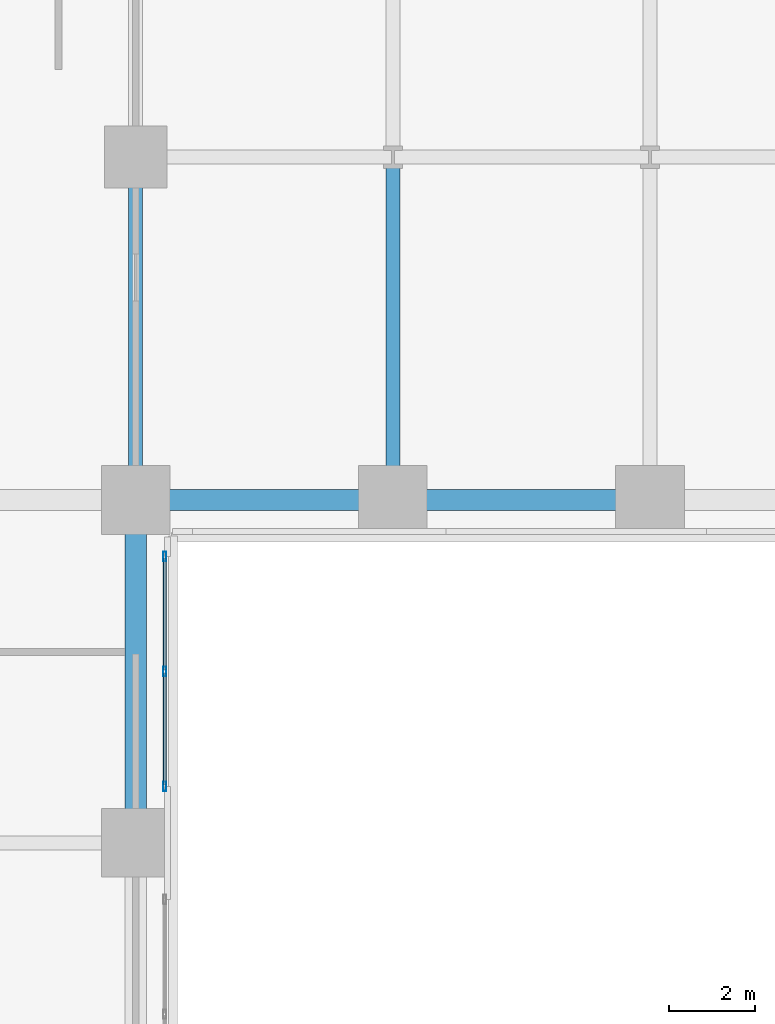
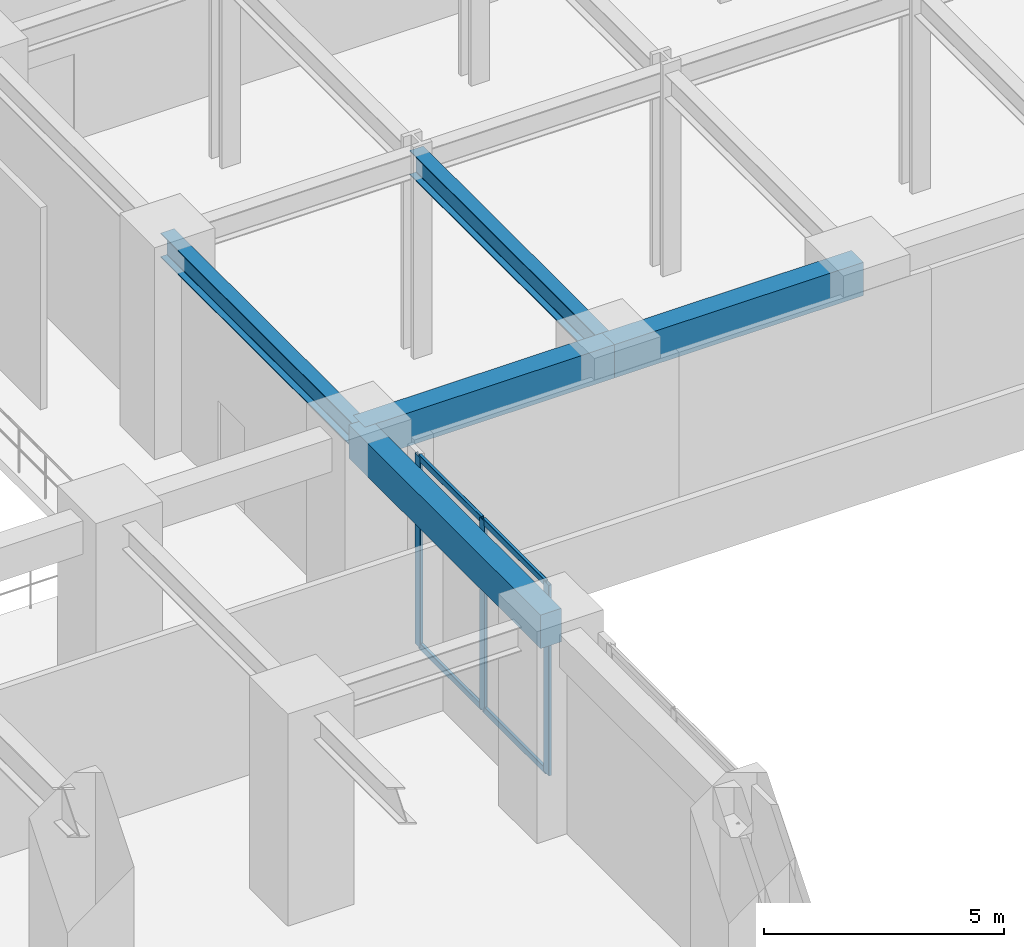
# One storey, part 13 of 33: 7 members, 5 beams, 1 element without a shape of its own.
"""IFC4 building model written with IfcOpenShell, lengths in metres."""

from ifc_helpers import new_model, si_unit, direction, frame, origin, origin_2d, place, context, subcontext, project, spatial, rectangle, hollow_rectangle, i_section, extrude, source, transform, mapped, material, material_profile, profile_set, type_object, element, aggregate, save


model = new_model("IFC4")

# Units and contexts
model_context = context("Model", 3, precision=1e-05, world=origin(), true_north=direction((0.0, 1.0)))
body_context = subcontext(model_context, "Body", "Model", "MODEL_VIEW")
ifc_project = project(units=[si_unit("LENGTHUNIT", "METRE"), si_unit("AREAUNIT", "SQUARE_METRE"), si_unit("VOLUMEUNIT", "CUBIC_METRE"), si_unit("PLANEANGLEUNIT", "RADIAN"), si_unit("MASSUNIT", "GRAM", prefix="KILO")], contexts=[model_context])

# Site, building, storey
site_placement = place(None, origin())
site = spatial("IfcSite", under=ifc_project, at=site_placement, CompositionType="ELEMENT")
building_placement = place(site_placement, origin())
building = spatial("IfcBuilding", under=site, at=building_placement, Name="Torre Montelarca", CompositionType="ELEMENT")
storey_placement = place(building_placement, frame((0.0, 0.0, 12.0)))
storey = spatial("IfcBuildingStorey", under=building, at=storey_placement, Name="L03", CompositionType="ELEMENT", Elevation=12.0)

# Beams
ifc_material_1 = material(Name="Concrete C55/67", Category="concrete")
ifc_material_profile_1 = material_profile(ifc_material_1, rectangle(XDim=0.5, YDim=0.85009765625, at=origin_2d()), Name="RCB500X850", Category="concrete")
ifc_profile_set_1 = profile_set([ifc_material_profile_1], Name="Concrete C55/67")
beam_type_1 = type_object("IfcBeamType", Name="BM-SP-RC850-EXT", PredefinedType="SPANDREL", material=ifc_profile_set_1)
shared_shape_1 = source(origin(), body_context, "Body", "SweptSolid", [
    extrude(rectangle(XDim=0.5, YDim=0.85009765625, at=origin_2d()), origin(), (0.0, 0.0, 1.0), 6.0),
])
for number, where, z_axis, x_axis, name in (
    (1, (48.0, 24.0, 4.715087890625), (1.0, 0.0, 0.0), (0.0, 1.0, 0.0), "L03 Grid Girder X 48.0-54.0 at Y=24.0"),
    (2, (54.0, 24.0, 4.715087890625), (1.0, 0.0, 0.0), (0.0, 1.0, 0.0), "L03 Grid Girder X 54.0-60.0 at Y=24.0"),
):
    element("IfcBeam", number, at=place(storey_placement, frame(where, z_axis=z_axis, x_axis=x_axis)), inside=storey, type_object=beam_type_1, Name=name, PredefinedType="SPANDREL", context=body_context, shape_type="MappedRepresentation", body=[
        mapped(shared_shape_1, transform((0.0, 0.0, 0.0), scale=1.0)),
    ])
shared_shape_2 = source(origin(), body_context, "Body", "SweptSolid", [
    extrude(rectangle(XDim=0.5, YDim=0.85009765625, at=origin_2d()), origin(), (0.0, 0.0, 1.0), 8.0),
])
beam_placement = place(storey_placement, frame((48.0, 16.0, 4.715087890625), z_axis=(0.0, 1.0, 0.0), x_axis=(-1.0, 0.0, 0.0)))
element("IfcBeam", 3, at=beam_placement, inside=storey, type_object=beam_type_1, Name="L03 Grid Girder Y 16.0-24.0 at X=48.0", PredefinedType="SPANDREL", context=body_context, shape_type="MappedRepresentation", body=[
    mapped(shared_shape_2, transform((0.0, 0.0, 0.0), scale=1.0)),
])
ifc_material_2 = material(Name="Steel ASTM A992 Grade 50", Category="steel")
ifc_material_profile_2 = material_profile(ifc_material_2, i_section(OverallWidth=0.326904296875, OverallDepth=0.6220703125, WebThickness=0.015380859375, FlangeThickness=0.0244140625, FilletRadius=0.014892578125, at=origin_2d()), Name="W610X195", Category="steel")
ifc_profile_set_2 = profile_set([ifc_material_profile_2], Name="Steel ASTM A992 Grade 50")
beam_type_2 = type_object("IfcBeamType", Name="BM-G-W610H", PredefinedType="BEAM", material=ifc_profile_set_2)
shared_shape_3 = source(origin(), body_context, "Body", "SweptSolid", [
    extrude(i_section(OverallWidth=0.326904296875, OverallDepth=0.6220703125, WebThickness=0.015380859375, FlangeThickness=0.0244140625, FilletRadius=0.014892578125, at=origin_2d()), origin(), (0.0, 0.0, 1.0), 8.0),
])
for number, where, z_axis, x_axis, name in (
    (4, (48.0, 24.0, 4.8291015625), (0.0, 1.0, 0.0), (-1.0, 0.0, 0.0), "L03 Grid Girder Y 24.0-32.0 at X=48.0"),
    (5, (54.0, 24.0, 4.8291015625), (0.0, 1.0, 0.0), (-1.0, 0.0, 0.0), "L03 Grid Girder Y 24.0-32.0 at X=54.0"),
):
    element("IfcBeam", number, at=place(storey_placement, frame(where, z_axis=z_axis, x_axis=x_axis)), inside=storey, type_object=beam_type_2, Name=name, PredefinedType="BEAM", context=body_context, shape_type="MappedRepresentation", body=[
        mapped(shared_shape_3, transform((0.0, 0.0, 0.0), scale=1.0)),
    ])

# Curtain wall, members
ifc_material_3 = material(Name="Insulated low-E laminated glass", Category="glass")
curtain_wall_type = type_object("IfcCurtainWallType", Name="CW-SYS-POD2", PredefinedType="USERDEFINED", material=ifc_material_3)
curtain_wall_placement = place(storey_placement, origin())
curtain_wall = element("IfcCurtainWall", 6, at=curtain_wall_placement, inside=storey, type_object=curtain_wall_type, Name="L03 Curtain Wall Run CW-T3-L03-E03-B2", ObjectType="UNITISED GLAZING", PredefinedType="USERDEFINED")
ifc_material_4 = material(Name="Anodised aluminium AA 6063-T6", Category="aluminium")
ifc_material_profile_3 = material_profile(ifc_material_4, hollow_rectangle(XDim=0.074951171875, YDim=0.159912109375, WallThickness=0.0048828125, InnerFilletRadius=0.0048828125, OuterFilletRadius=0.010009765625, at=origin_2d()), Name="ALU75X160X5", Category="aluminium")
ifc_profile_set_3 = profile_set([ifc_material_profile_3], Name="Anodised aluminium AA 6063-T6")
member_type_1 = type_object("IfcMemberType", Name="CWT-ALU160", PredefinedType="USERDEFINED", material=ifc_profile_set_3)
shared_shape_4 = source(origin(), body_context, "Body", "SweptSolid", [
    extrude(hollow_rectangle(XDim=0.074951171875, YDim=0.159912109375, WallThickness=0.0048828125, InnerFilletRadius=0.0048828125, OuterFilletRadius=0.010009765625, at=origin_2d()), origin(), (0.0, 0.0, 1.0), 2.607421875),
])
member_1_placement = place(storey_placement, frame((48.679931640625, 17.35498046875, 0.03759765625), z_axis=(0.0, 1.0, 0.0), x_axis=(-1.0, 0.0, 0.0)))
member_1 = element("IfcMember", 7, at=member_1_placement, type_object=member_type_1, Name="CW transom 1.1", ObjectType="TRANSOM", PredefinedType="USERDEFINED", context=body_context, shape_type="MappedRepresentation", body=[
    mapped(shared_shape_4, transform((0.0, 0.0, 0.0), scale=1.0)),
])
member_2_placement = place(storey_placement, frame((48.679931640625, 17.35498046875, 4.8125), z_axis=(0.0, 1.0, 0.0), x_axis=(-1.0, 0.0, 0.0)))
member_2 = element("IfcMember", 8, at=member_2_placement, type_object=member_type_1, Name="CW transom 1.2", ObjectType="TRANSOM", PredefinedType="USERDEFINED", context=body_context, shape_type="MappedRepresentation", body=[
    mapped(shared_shape_4, transform((0.0, 0.0, 0.0), scale=1.0)),
])
member_3_placement = place(storey_placement, frame((48.679931640625, 20.03759765625, 0.03759765625), z_axis=(0.0, 1.0, 0.0), x_axis=(-1.0, 0.0, 0.0)))
member_3 = element("IfcMember", 9, at=member_3_placement, type_object=member_type_1, Name="CW transom 2.1", ObjectType="TRANSOM", PredefinedType="USERDEFINED", context=body_context, shape_type="MappedRepresentation", body=[
    mapped(shared_shape_4, transform((0.0, 0.0, 0.0), scale=1.0)),
])
member_4_placement = place(storey_placement, frame((48.679931640625, 20.03759765625, 4.8125), z_axis=(0.0, 1.0, 0.0), x_axis=(-1.0, 0.0, 0.0)))
member_4 = element("IfcMember", 10, at=member_4_placement, type_object=member_type_1, Name="CW transom 2.2", ObjectType="TRANSOM", PredefinedType="USERDEFINED", context=body_context, shape_type="MappedRepresentation", body=[
    mapped(shared_shape_4, transform((0.0, 0.0, 0.0), scale=1.0)),
])
ifc_material_profile_4 = material_profile(ifc_material_4, hollow_rectangle(XDim=0.074951171875, YDim=0.219970703125, WallThickness=0.0048828125, InnerFilletRadius=0.0048828125, OuterFilletRadius=0.010009765625, at=origin_2d()), Name="ALU75X220X5", Category="aluminium")
ifc_profile_set_4 = profile_set([ifc_material_profile_4], Name="Anodised aluminium AA 6063-T6")
member_type_2 = type_object("IfcMemberType", Name="CWM-ALU220", PredefinedType="MULLION", material=ifc_profile_set_4)
shared_shape_5 = source(origin(), body_context, "Body", "SweptSolid", [
    extrude(hollow_rectangle(XDim=0.074951171875, YDim=0.219970703125, WallThickness=0.0048828125, InnerFilletRadius=0.0048828125, OuterFilletRadius=0.010009765625, at=origin_2d()), origin(), (0.0, 0.0, 1.0), 4.85009765625),
])
member_5_placement = place(storey_placement, frame((48.679931640625, 17.3173828125, 0.0), z_axis=(0.0, 0.0, 1.0), x_axis=(-1.0, 0.0, 0.0)))
member_5 = element("IfcMember", 11, at=member_5_placement, type_object=member_type_2, Name="CW mullion 1", PredefinedType="MULLION", context=body_context, shape_type="MappedRepresentation", body=[
    mapped(shared_shape_5, transform((0.0, 0.0, 0.0), scale=1.0)),
])
member_6_placement = place(storey_placement, frame((48.679931640625, 20.0, 0.0), z_axis=(0.0, 0.0, 1.0), x_axis=(-1.0, 0.0, 0.0)))
member_6 = element("IfcMember", 12, at=member_6_placement, type_object=member_type_2, Name="CW mullion 2", PredefinedType="MULLION", context=body_context, shape_type="MappedRepresentation", body=[
    mapped(shared_shape_5, transform((0.0, 0.0, 0.0), scale=1.0)),
])
member_7_placement = place(storey_placement, frame((48.679931640625, 22.6826171875, 0.0), z_axis=(0.0, 0.0, 1.0), x_axis=(-1.0, 0.0, 0.0)))
member_7 = element("IfcMember", 13, at=member_7_placement, type_object=member_type_2, Name="CW mullion 3", PredefinedType="MULLION", context=body_context, shape_type="MappedRepresentation", body=[
    mapped(shared_shape_5, transform((0.0, 0.0, 0.0), scale=1.0)),
])
aggregate(curtain_wall, [member_5, member_6, member_7, member_1, member_2, member_3, member_4])

save(model, "model.ifc")
